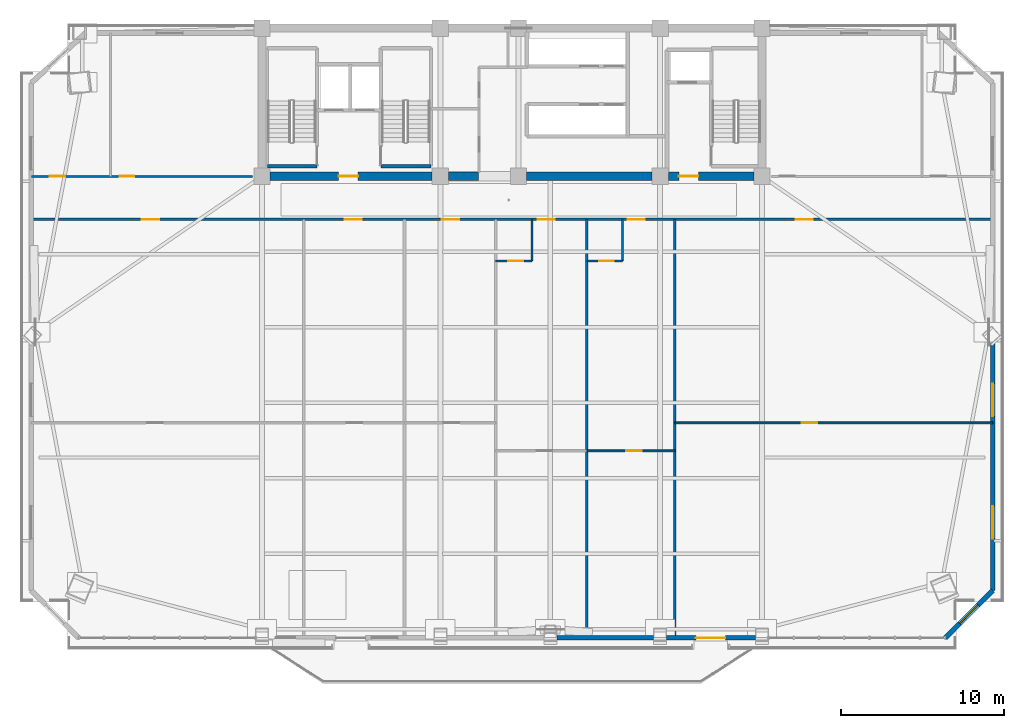
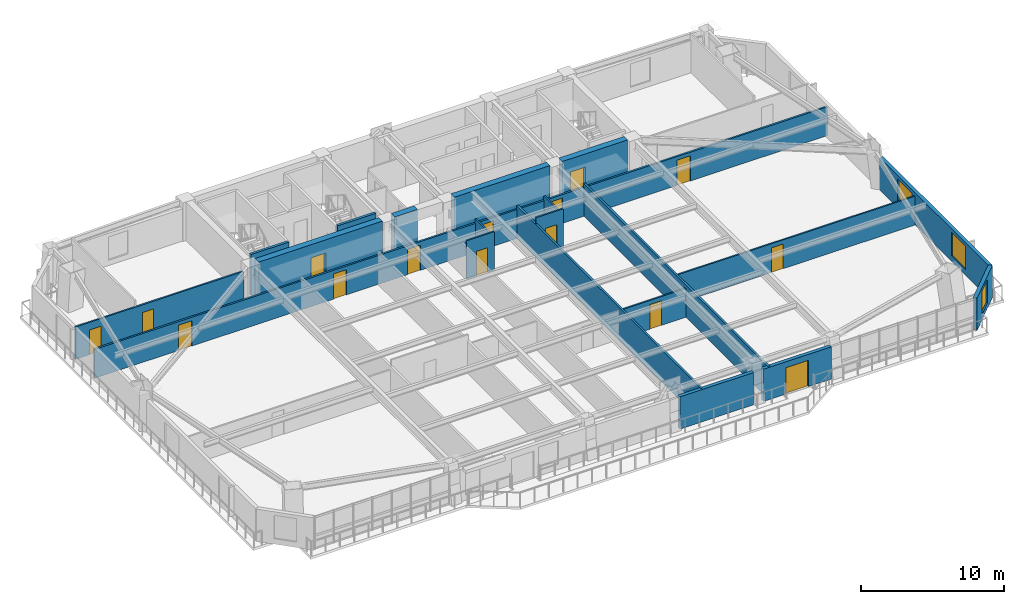
# One storey, part 8 of 16: 20 walls, 15 doors, 3 windows, 18 openings.
"""IFC4 building model written with IfcOpenShell, lengths in metres."""

from ifc_helpers import new_model, si_unit, direction, frame, frame_2d, origin, place, context, subcontext, project, spatial, rectangle, extrude, source, transform, mapped, material, layer, layer_set, type_object, element, fill, save


model = new_model("IFC4")

# Units and contexts
model_context = context("Model", 3, precision=1e-05, world=origin(), true_north=direction((0.0, 1.0)))
body_context = subcontext(model_context, "Body", "Model", "MODEL_VIEW")
ifc_project = project(units=[si_unit("LENGTHUNIT", "METRE"), si_unit("AREAUNIT", "SQUARE_METRE"), si_unit("VOLUMEUNIT", "CUBIC_METRE"), si_unit("PLANEANGLEUNIT", "RADIAN"), si_unit("MASSUNIT", "GRAM", prefix="KILO")], contexts=[model_context])

# Site, building, storey
site_placement = place(None, origin())
site = spatial("IfcSite", under=ifc_project, at=site_placement, CompositionType="ELEMENT")
building_placement = place(site_placement, origin())
building = spatial("IfcBuilding", under=site, at=building_placement, Name="Giltprow Tower", CompositionType="ELEMENT")
storey_placement = place(building_placement, frame((0.0, 0.0, 166.699951171875)))
storey = spatial("IfcBuildingStorey", under=building, at=storey_placement, Name="L41", CompositionType="ELEMENT", Elevation=166.699951171875)

# Wall, opening, window
ifc_material_1 = material(Name="Precast concrete C40", Category="concrete")
ifc_layer_1 = layer(ifc_material_1, 0.300048828125, Name="Precast concrete C40")
ifc_layer_set_1 = layer_set([ifc_layer_1], Name="Precast concrete C40")
wall_type_1 = type_object("IfcWallType", Name="EW-NOTCH-CHAMFER-300", PredefinedType="SOLIDWALL", material=ifc_layer_set_1)
wall_1_placement = place(storey_placement, frame((61.802978515625, 9.097900390625, 0.0), z_axis=(0.0, 0.0, 1.0), x_axis=(0.707106781187, 0.707106781187, 0.0)))
wall_1 = element("IfcWall", 1, at=wall_1_placement, inside=storey, type_object=wall_type_1, Name="L41 Corner Notch Wall SE", PredefinedType="SOLIDWALL", context=body_context, shape_type="SweptSolid", body=[
    extrude(rectangle(XDim=4.11962890625, YDim=0.300048828125, at=frame_2d((2.059814453125, 0.0))), origin(), (0.0, 0.0, 1.0), 2.75),
])
opening_1_placement = place(wall_1_placement, frame((1.260009765625, 0.0, 0.449951171875)))
opening_1 = element("IfcOpeningElement", 2, at=opening_1_placement, cuts=wall_1, Name="Opening WN17", PredefinedType="OPENING", context=body_context, shape_type="SweptSolid", body=[
    extrude(rectangle(XDim=1.60009765625, YDim=2.0, at=frame_2d((0.800048828125, 1.0))), frame((0.0, 0.159912109375, 0.0), z_axis=(0.0, -1.0, 0.0), x_axis=(1.0, 0.0, 0.0)), (0.0, 0.0, 1.0), 0.320068359375),
])
ifc_material_2 = material(Name="Insulated glass", Category="glass")
window_type_1 = type_object("IfcWindowType", Name="WN-COR-1600x2000", PartitioningType="SINGLE_PANEL", PredefinedType="WINDOW", material=ifc_material_2)
shared_shape_1 = source(origin(), body_context, "Body", "SweptSolid", [
    extrude(rectangle(XDim=1.60009765625, YDim=2.0, at=frame_2d((0.800048828125, 1.0))), frame((0.0, 0.030029296875, 0.0), z_axis=(0.0, -1.0, 0.0), x_axis=(1.0, 0.0, 0.0)), (0.0, 0.0, 1.0), 0.06005859375),
])
window_1_placement = place(opening_1_placement, origin())
window_1 = element("IfcWindow", 3, at=window_1_placement, inside=storey, type_object=window_type_1, Name="L41 Corner Notch Window SE", OverallHeight=2.0, OverallWidth=1.60009765625, PartitioningType="SINGLE_PANEL", PredefinedType="WINDOW", context=body_context, shape_type="MappedRepresentation", body=[
    mapped(shared_shape_1, transform((0.0, 0.0, 0.0), x_axis=(1.0, 0.0, 0.0), y_axis=(0.0, 1.0, 0.0), z_axis=(0.0, 0.0, 1.0), scale=1.0)),
])
fill(opening_1, window_1)

# Wall
ifc_layer_2 = layer(ifc_material_1, 0.280029296875, Name="Precast concrete C40")
ifc_layer_set_2 = layer_set([ifc_layer_2], Name="Precast concrete C40")
wall_type_2 = type_object("IfcWallType", Name="EW-TOW-BRONZE-280", PredefinedType="SOLIDWALL", material=ifc_layer_set_2)
wall_2_placement = place(storey_placement, frame((37.949951171875, 9.097900390625, 0.0), z_axis=(0.0, 0.0, 1.0), x_axis=(1.0, 0.0, 0.0)))
element("IfcWall", 4, at=wall_2_placement, inside=storey, type_object=wall_type_2, Name="L41 South Expressed Frame Wall 4", PredefinedType="SOLIDWALL", context=body_context, shape_type="SweptSolid", body=[
    extrude(rectangle(XDim=5.949951171875, YDim=0.280029296875, at=frame_2d((2.97509765625, 0.0))), origin(), (0.0, 0.0, 1.0), 2.75),
])

# Wall, opening, door
wall_3_placement = place(storey_placement, frame((44.699951171875, 9.097900390625, 0.0), z_axis=(0.0, 0.0, 1.0), x_axis=(1.0, 0.0, 0.0)))
wall_3 = element("IfcWall", 5, at=wall_3_placement, inside=storey, type_object=wall_type_2, Name="L41 South Expressed Frame Wall 5", PredefinedType="SOLIDWALL", context=body_context, shape_type="SweptSolid", body=[
    extrude(rectangle(XDim=5.449951171875, YDim=0.280029296875, at=frame_2d((2.72509765625, 0.0))), origin(), (0.0, 0.0, 1.0), 2.75),
])
opening_2_placement = place(wall_3_placement, frame((1.800048828125, 0.0, 0.0)))
opening_2 = element("IfcOpeningElement", 6, at=opening_2_placement, cuts=wall_3, Name="Opening ED25", PredefinedType="OPENING", context=body_context, shape_type="SweptSolid", body=[
    extrude(rectangle(XDim=1.800048828125, YDim=2.25, at=frame_2d((0.89990234375, 1.125))), frame((0.0, 0.14990234375, 0.0), z_axis=(0.0, -1.0, 0.0), x_axis=(1.0, 0.0, 0.0)), (0.0, 0.0, 1.0), 0.300048828125),
])
ifc_material_3 = material(Name="Anodized bronze and glass", Category="glass")
door_type_1 = type_object("IfcDoorType", Name="DR-BALC-SLIDE-1800", OperationType="SLIDING_TO_LEFT", PredefinedType="DOOR", material=ifc_material_3)
shared_shape_2 = source(origin(), body_context, "Body", "SweptSolid", [
    extrude(rectangle(XDim=1.800048828125, YDim=2.25, at=frame_2d((0.89990234375, 1.125))), frame((0.0, 0.02490234375, 0.0), z_axis=(0.0, -1.0, 0.0), x_axis=(1.0, 0.0, 0.0)), (0.0, 0.0, 1.0), 0.050048828125),
])
door_1_placement = place(opening_2_placement, origin())
door_1 = element("IfcDoor", 7, at=door_1_placement, inside=storey, type_object=door_type_1, Name="L41 Waterfront Balcony Sliding Door 2", OperationType="SLIDING_TO_LEFT", OverallHeight=2.25, OverallWidth=1.800048828125, PredefinedType="DOOR", context=body_context, shape_type="MappedRepresentation", body=[
    mapped(shared_shape_2, transform((0.0, 0.0, 0.0), x_axis=(1.0, 0.0, 0.0), y_axis=(0.0, 1.0, 0.0), z_axis=(0.0, 0.0, 1.0), scale=1.0)),
])
fill(opening_2, door_1)

# Wall, openings, windows
wall_4_placement = place(storey_placement, frame((64.716064453125, 12.010986328125, 0.0), z_axis=(0.0, 0.0, 1.0), x_axis=(0.0, 1.0, 0.0)))
wall_4 = element("IfcWall", 8, at=wall_4_placement, inside=storey, type_object=wall_type_2, Name="L41 E Wing Masonry Wall 1", PredefinedType="SOLIDWALL", context=body_context, shape_type="SweptSolid", body=[
    extrude(rectangle(XDim=15.18798828125, YDim=0.280029296875, at=frame_2d((7.593994140625, 0.0))), origin(), (0.0, 0.0, 1.0), 2.75),
])
opening_3_placement = place(wall_4_placement, frame((3.18896484375, 0.0, 0.449951171875)))
opening_3 = element("IfcOpeningElement", 9, at=opening_3_placement, cuts=wall_4, Name="Opening WN21", PredefinedType="OPENING", context=body_context, shape_type="SweptSolid", body=[
    extrude(rectangle(XDim=2.0, YDim=2.0, at=frame_2d((1.0, 1.0))), frame((0.0, 0.14990234375, 0.0), z_axis=(0.0, -1.0, 0.0), x_axis=(1.0, 0.0, 0.0)), (0.0, 0.0, 1.0), 0.300048828125),
])
opening_4_placement = place(wall_4_placement, frame((10.701904296875, 0.0, 0.449951171875)))
opening_4 = element("IfcOpeningElement", 10, at=opening_4_placement, cuts=wall_4, Name="Opening WN21", PredefinedType="OPENING", context=body_context, shape_type="SweptSolid", body=[
    extrude(rectangle(XDim=2.0, YDim=2.0, at=frame_2d((1.0, 1.0))), frame((0.0, 0.14990234375, 0.0), z_axis=(0.0, -1.0, 0.0), x_axis=(1.0, 0.0, 0.0)), (0.0, 0.0, 1.0), 0.300048828125),
])
window_type_2 = type_object("IfcWindowType", Name="WN-HTL-2000x2000", PartitioningType="DOUBLE_PANEL_VERTICAL", PredefinedType="WINDOW", material=ifc_material_2)
shared_shape_3 = source(origin(), body_context, "Body", "SweptSolid", [
    extrude(rectangle(XDim=2.0, YDim=2.0, at=frame_2d((1.0, 1.0))), frame((0.0, 0.030029296875, 0.0), z_axis=(0.0, -1.0, 0.0), x_axis=(1.0, 0.0, 0.0)), (0.0, 0.0, 1.0), 0.06005859375),
])
window_2_placement = place(opening_3_placement, origin())
window_2 = element("IfcWindow", 11, at=window_2_placement, inside=storey, type_object=window_type_2, Name="L41 E Wing Window 1-1A", OverallHeight=2.0, OverallWidth=2.0, PartitioningType="SINGLE_PANEL", PredefinedType="WINDOW", context=body_context, shape_type="MappedRepresentation", body=[
    mapped(shared_shape_3, transform((0.0, 0.0, 0.0), x_axis=(1.0, 0.0, 0.0), y_axis=(0.0, 1.0, 0.0), z_axis=(0.0, 0.0, 1.0), scale=1.0)),
])
fill(opening_3, window_2)
window_3_placement = place(opening_4_placement, origin())
window_3 = element("IfcWindow", 12, at=window_3_placement, inside=storey, type_object=window_type_2, Name="L41 E Wing Window 1-1B", OverallHeight=2.0, OverallWidth=2.0, PartitioningType="SINGLE_PANEL", PredefinedType="WINDOW", context=body_context, shape_type="MappedRepresentation", body=[
    mapped(shared_shape_3, transform((0.0, 0.0, 0.0), x_axis=(1.0, 0.0, 0.0), y_axis=(0.0, 1.0, 0.0), z_axis=(0.0, 0.0, 1.0), scale=1.0)),
])
fill(opening_4, window_3)

# Wall, openings, doors
ifc_material_4 = material(Name="Gypsum stud partition", Category="gypsum")
ifc_layer_3 = layer(ifc_material_4, 0.14990234375, Name="Gypsum stud partition")
ifc_layer_set_3 = layer_set([ifc_layer_3], Name="Gypsum stud partition")
wall_type_3 = type_object("IfcWallType", Name="IW-CORR-150", PredefinedType="PARTITIONING", material=ifc_layer_set_3)
wall_5_placement = place(storey_placement, frame((5.68408203125, 34.800048828125, 0.0), z_axis=(0.0, 0.0, 1.0), x_axis=(1.0, 0.0, 0.0)))
wall_5 = element("IfcWall", 13, at=wall_5_placement, inside=storey, type_object=wall_type_3, Name="L41 Hotel Guestroom Corridor Wall", PredefinedType="PARTITIONING", context=body_context, shape_type="SweptSolid", body=[
    extrude(rectangle(XDim=59.031982421875, YDim=0.14990234375, at=frame_2d((29.51611328125, 0.0))), origin(), (0.0, 0.0, 1.0), 2.455078125),
])
opening_5_placement = place(wall_5_placement, frame((6.791015625, 0.0, 0.0)))
opening_5 = element("IfcOpeningElement", 14, at=opening_5_placement, cuts=wall_5, Name="Opening ID31", PredefinedType="OPENING", context=body_context, shape_type="SweptSolid", body=[
    extrude(rectangle(XDim=1.050048828125, YDim=2.14990234375, at=frame_2d((0.52490234375, 1.074951171875))), frame((0.0, 0.0849609375, 0.0), z_axis=(0.0, -1.0, 0.0), x_axis=(1.0, 0.0, 0.0)), (0.0, 0.0, 1.0), 0.169921875),
])
opening_6_placement = place(wall_5_placement, frame((19.240966796875, 0.0, 0.0)))
opening_6 = element("IfcOpeningElement", 15, at=opening_6_placement, cuts=wall_5, Name="Opening ID31", PredefinedType="OPENING", context=body_context, shape_type="SweptSolid", body=[
    extrude(rectangle(XDim=1.050048828125, YDim=2.14990234375, at=frame_2d((0.52490234375, 1.074951171875))), frame((0.0, 0.0849609375, 0.0), z_axis=(0.0, -1.0, 0.0), x_axis=(1.0, 0.0, 0.0)), (0.0, 0.0, 1.0), 0.169921875),
])
opening_7_placement = place(wall_5_placement, frame((25.212890625, 0.0, 0.0)))
opening_7 = element("IfcOpeningElement", 16, at=opening_7_placement, cuts=wall_5, Name="Opening ID31", PredefinedType="OPENING", context=body_context, shape_type="SweptSolid", body=[
    extrude(rectangle(XDim=1.050048828125, YDim=2.14990234375, at=frame_2d((0.52490234375, 1.074951171875))), frame((0.0, 0.0849609375, 0.0), z_axis=(0.0, -1.0, 0.0), x_axis=(1.0, 0.0, 0.0)), (0.0, 0.0, 1.0), 0.169921875),
])
opening_8_placement = place(wall_5_placement, frame((31.0859375, 0.0, 0.0)))
opening_8 = element("IfcOpeningElement", 17, at=opening_8_placement, cuts=wall_5, Name="Opening ID31", PredefinedType="OPENING", context=body_context, shape_type="SweptSolid", body=[
    extrude(rectangle(XDim=1.050048828125, YDim=2.14990234375, at=frame_2d((0.52490234375, 1.074951171875))), frame((0.0, 0.0849609375, 0.0), z_axis=(0.0, -1.0, 0.0), x_axis=(1.0, 0.0, 0.0)), (0.0, 0.0, 1.0), 0.169921875),
])
opening_9_placement = place(wall_5_placement, frame((36.632080078125, 0.0, 0.0)))
opening_9 = element("IfcOpeningElement", 18, at=opening_9_placement, cuts=wall_5, Name="Opening ID31", PredefinedType="OPENING", context=body_context, shape_type="SweptSolid", body=[
    extrude(rectangle(XDim=1.050048828125, YDim=2.14990234375, at=frame_2d((0.52490234375, 1.074951171875))), frame((0.0, 0.0849609375, 0.0), z_axis=(0.0, -1.0, 0.0), x_axis=(1.0, 0.0, 0.0)), (0.0, 0.0, 1.0), 0.169921875),
])
opening_10_placement = place(wall_5_placement, frame((46.93603515625, 0.0, 0.0)))
opening_10 = element("IfcOpeningElement", 19, at=opening_10_placement, cuts=wall_5, Name="Opening ID31", PredefinedType="OPENING", context=body_context, shape_type="SweptSolid", body=[
    extrude(rectangle(XDim=1.050048828125, YDim=2.14990234375, at=frame_2d((0.52490234375, 1.074951171875))), frame((0.0, 0.0849609375, 0.0), z_axis=(0.0, -1.0, 0.0), x_axis=(1.0, 0.0, 0.0)), (0.0, 0.0, 1.0), 0.169921875),
])
ifc_material_5 = material(Name="Engineered timber", Category="wood")
door_type_2 = type_object("IfcDoorType", Name="DR-SUITE-1050", OperationType="SINGLE_SWING_LEFT", PredefinedType="DOOR", material=ifc_material_5)
shared_shape_4 = source(origin(), body_context, "Body", "SweptSolid", [
    extrude(rectangle(XDim=1.050048828125, YDim=2.14990234375, at=frame_2d((0.52490234375, 1.074951171875))), frame((0.0, 0.02490234375, 0.0), z_axis=(0.0, -1.0, 0.0), x_axis=(1.0, 0.0, 0.0)), (0.0, 0.0, 1.0), 0.050048828125),
])
door_2_placement = place(opening_5_placement, origin())
door_2 = element("IfcDoor", 20, at=door_2_placement, inside=storey, type_object=door_type_2, Name="L41 Suite Reception Foyer Door", OperationType="SINGLE_SWING_LEFT", OverallHeight=2.14990234375, OverallWidth=1.050048828125, PredefinedType="DOOR", context=body_context, shape_type="MappedRepresentation", body=[
    mapped(shared_shape_4, transform((0.0, 0.0, 0.0), x_axis=(1.0, 0.0, 0.0), y_axis=(0.0, 1.0, 0.0), z_axis=(0.0, 0.0, 1.0), scale=1.0)),
])
fill(opening_5, door_2)
door_3_placement = place(opening_6_placement, origin())
door_3 = element("IfcDoor", 21, at=door_3_placement, inside=storey, type_object=door_type_2, Name="L41 Suite Reception Foyer Door", OperationType="SINGLE_SWING_LEFT", OverallHeight=2.14990234375, OverallWidth=1.050048828125, PredefinedType="DOOR", context=body_context, shape_type="MappedRepresentation", body=[
    mapped(shared_shape_4, transform((0.0, 0.0, 0.0), x_axis=(1.0, 0.0, 0.0), y_axis=(0.0, 1.0, 0.0), z_axis=(0.0, 0.0, 1.0), scale=1.0)),
])
fill(opening_6, door_3)
door_4_placement = place(opening_7_placement, origin())
door_4 = element("IfcDoor", 22, at=door_4_placement, inside=storey, type_object=door_type_2, Name="L41 Suite Reception Foyer Door", OperationType="SINGLE_SWING_LEFT", OverallHeight=2.14990234375, OverallWidth=1.050048828125, PredefinedType="DOOR", context=body_context, shape_type="MappedRepresentation", body=[
    mapped(shared_shape_4, transform((0.0, 0.0, 0.0), x_axis=(1.0, 0.0, 0.0), y_axis=(0.0, 1.0, 0.0), z_axis=(0.0, 0.0, 1.0), scale=1.0)),
])
fill(opening_7, door_4)
door_5_placement = place(opening_8_placement, origin())
door_5 = element("IfcDoor", 23, at=door_5_placement, inside=storey, type_object=door_type_2, Name="L41 Hotel Room 4 Entry Door", OperationType="SINGLE_SWING_LEFT", OverallHeight=2.14990234375, OverallWidth=1.050048828125, PredefinedType="DOOR", context=body_context, shape_type="MappedRepresentation", body=[
    mapped(shared_shape_4, transform((0.0, 0.0, 0.0), x_axis=(1.0, 0.0, 0.0), y_axis=(0.0, 1.0, 0.0), z_axis=(0.0, 0.0, 1.0), scale=1.0)),
])
fill(opening_8, door_5)
door_6_placement = place(opening_9_placement, origin())
door_6 = element("IfcDoor", 24, at=door_6_placement, inside=storey, type_object=door_type_2, Name="L41 Hotel Room 5 Entry Door", OperationType="SINGLE_SWING_RIGHT", OverallHeight=2.14990234375, OverallWidth=1.050048828125, PredefinedType="DOOR", context=body_context, shape_type="MappedRepresentation", body=[
    mapped(shared_shape_4, transform((0.0, 0.0, 0.0), x_axis=(1.0, 0.0, 0.0), y_axis=(0.0, 1.0, 0.0), z_axis=(0.0, 0.0, 1.0), scale=1.0)),
])
fill(opening_9, door_6)
door_7_placement = place(opening_10_placement, origin())
door_7 = element("IfcDoor", 25, at=door_7_placement, inside=storey, type_object=door_type_2, Name="L41 Suite Reception Foyer Door", OperationType="SINGLE_SWING_LEFT", OverallHeight=2.14990234375, OverallWidth=1.050048828125, PredefinedType="DOOR", context=body_context, shape_type="MappedRepresentation", body=[
    mapped(shared_shape_4, transform((0.0, 0.0, 0.0), x_axis=(1.0, 0.0, 0.0), y_axis=(0.0, 1.0, 0.0), z_axis=(0.0, 0.0, 1.0), scale=1.0)),
])
fill(opening_10, door_7)

# Walls
ifc_layer_4 = layer(ifc_material_4, 0.159912109375, Name="Gypsum stud partition")
ifc_layer_set_4 = layer_set([ifc_layer_4], Name="Gypsum stud partition")
wall_type_4 = type_object("IfcWallType", Name="IW-DEMISE-160", PredefinedType="PARTITIONING", material=ifc_layer_set_4)
for number, where, z_axis, x_axis, name in (
    (26, (39.800048828125, 9.097900390625, 0.0), (0.0, 0.0, 1.0), (0.0, 1.0, 0.0), "L41 Hotel Demising Wall 4"),
    (27, (45.199951171875, 9.097900390625, 0.0), (0.0, 0.0, 1.0), (0.0, 1.0, 0.0), "L41 Hotel Demising Wall 5"),
):
    element("IfcWall", number, at=place(storey_placement, frame(where, z_axis=z_axis, x_axis=x_axis)), inside=storey, type_object=wall_type_4, Name=name, PredefinedType="PARTITIONING", context=body_context, shape_type="SweptSolid", body=[
        extrude(rectangle(XDim=25.7021484375, YDim=0.159912109375, at=frame_2d((12.85107421875, 0.0))), origin(), (0.0, 0.0, 1.0), 2.755126953125),
    ])

# Wall, opening, door
ifc_layer_5 = layer(ifc_material_4, 0.1201171875, Name="Gypsum stud partition")
ifc_layer_set_5 = layer_set([ifc_layer_5], Name="Gypsum stud partition")
wall_type_5 = type_object("IfcWallType", Name="IW-ROOM-120", PredefinedType="PARTITIONING", material=ifc_layer_set_5)
wall_6_placement = place(storey_placement, frame((39.800048828125, 20.590087890625, 0.0), z_axis=(0.0, 0.0, 1.0), x_axis=(1.0, 0.0, 0.0)))
wall_6 = element("IfcWall", 28, at=wall_6_placement, inside=storey, type_object=wall_type_5, Name="L41 Suite Parlour Divider 5", PredefinedType="PARTITIONING", context=body_context, shape_type="SweptSolid", body=[
    extrude(rectangle(XDim=5.39990234375, YDim=0.1201171875, at=frame_2d((2.699951171875, 0.0))), origin(), (0.0, 0.0, 1.0), 2.455078125),
])
opening_11_placement = place(wall_6_placement, frame((2.425048828125, 0.0, 0.0)))
opening_11 = element("IfcOpeningElement", 29, at=opening_11_placement, cuts=wall_6, Name="Opening ID11", PredefinedType="OPENING", context=body_context, shape_type="SweptSolid", body=[
    extrude(rectangle(XDim=0.949951171875, YDim=2.10009765625, at=frame_2d((0.47509765625, 1.050048828125))), frame((0.0, 0.070068359375, 0.0), z_axis=(0.0, -1.0, 0.0), x_axis=(1.0, 0.0, 0.0)), (0.0, 0.0, 1.0), 0.14013671875),
])
door_type_3 = type_object("IfcDoorType", Name="DR-ROOM-950", OperationType="SINGLE_SWING_RIGHT", PredefinedType="DOOR", material=ifc_material_5)
shared_shape_5 = source(origin(), body_context, "Body", "SweptSolid", [
    extrude(rectangle(XDim=0.949951171875, YDim=2.10009765625, at=frame_2d((0.47509765625, 1.050048828125))), frame((0.0, 0.02490234375, 0.0), z_axis=(0.0, -1.0, 0.0), x_axis=(1.0, 0.0, 0.0)), (0.0, 0.0, 1.0), 0.050048828125),
])
door_8_placement = place(opening_11_placement, origin())
door_8 = element("IfcDoor", 30, at=door_8_placement, inside=storey, type_object=door_type_3, Name="L41 Harbour Parlour 5 Door", OperationType="SINGLE_SWING_RIGHT", OverallHeight=2.10009765625, OverallWidth=0.949951171875, PredefinedType="DOOR", context=body_context, shape_type="MappedRepresentation", body=[
    mapped(shared_shape_5, transform((0.0, 0.0, 0.0), x_axis=(1.0, 0.0, 0.0), y_axis=(0.0, 1.0, 0.0), z_axis=(0.0, 0.0, 1.0), scale=1.0)),
])
fill(opening_11, door_8)

wall_7_placement = place(storey_placement, frame((45.199951171875, 22.31298828125, 0.0), z_axis=(0.0, 0.0, 1.0), x_axis=(1.0, 0.0, 0.0)))
wall_7 = element("IfcWall", 31, at=wall_7_placement, inside=storey, type_object=wall_type_5, Name="L41 Amenity Mid Wall 6", PredefinedType="PARTITIONING", context=body_context, shape_type="SweptSolid", body=[
    extrude(rectangle(XDim=19.51611328125, YDim=0.1201171875, at=frame_2d((9.758056640625, 0.0))), origin(), (0.0, 0.0, 1.0), 2.455078125),
])
opening_12_placement = place(wall_7_placement, frame((7.798095703125, 0.0, 0.0)))
opening_12 = element("IfcOpeningElement", 32, at=opening_12_placement, cuts=wall_7, Name="Opening ID11", PredefinedType="OPENING", context=body_context, shape_type="SweptSolid", body=[
    extrude(rectangle(XDim=0.949951171875, YDim=2.10009765625, at=frame_2d((0.47509765625, 1.050048828125))), frame((0.0, 0.070068359375, 0.0), z_axis=(0.0, -1.0, 0.0), x_axis=(1.0, 0.0, 0.0)), (0.0, 0.0, 1.0), 0.14013671875),
])
door_9_placement = place(opening_12_placement, origin())
door_9 = element("IfcDoor", 33, at=door_9_placement, inside=storey, type_object=door_type_3, Name="L41 Perfume Boutique Shop 4 Inner Door", OperationType="SINGLE_SWING_RIGHT", OverallHeight=2.10009765625, OverallWidth=0.949951171875, PredefinedType="DOOR", context=body_context, shape_type="MappedRepresentation", body=[
    mapped(shared_shape_5, transform((0.0, 0.0, 0.0), x_axis=(1.0, 0.0, 0.0), y_axis=(0.0, 1.0, 0.0), z_axis=(0.0, 0.0, 1.0), scale=1.0)),
])
fill(opening_12, door_9)

# Walls
ifc_material_6 = material(Name="Concrete C40", Category="concrete")
ifc_layer_6 = layer(ifc_material_6, 0.199951171875, Name="Concrete C40")
ifc_layer_set_6 = layer_set([ifc_layer_6], Name="Concrete C40")
wall_type_6 = type_object("IfcWallType", Name="IW-STAIR-200", PredefinedType="SOLIDWALL", material=ifc_layer_set_6)
wall_8_placement = place(storey_placement, frame((20.169921875, 38.070068359375, 0.0), z_axis=(0.0, 0.0, 1.0), x_axis=(1.0, 0.0, 0.0)))
element("IfcWall", 34, at=wall_8_placement, inside=storey, type_object=wall_type_6, Name="L41 Stair ST-1 South Bearing Wall", PredefinedType="SOLIDWALL", context=body_context, shape_type="SweptSolid", body=[
    extrude(rectangle(XDim=3.050048828125, YDim=0.199951171875, at=frame_2d((1.52490234375, 0.0))), origin(), (0.0, 0.0, 1.0), 3.5),
])
wall_9_placement = place(storey_placement, frame((27.139892578125, 38.070068359375, 0.0), z_axis=(0.0, 0.0, 1.0), x_axis=(1.0, 0.0, 0.0)))
element("IfcWall", 35, at=wall_9_placement, inside=storey, type_object=wall_type_6, Name="L41 Stair ST-2 South Bearing Wall", PredefinedType="SOLIDWALL", context=body_context, shape_type="SweptSolid", body=[
    extrude(rectangle(XDim=3.080078125, YDim=0.199951171875, at=frame_2d((1.5400390625, 0.0))), origin(), (0.0, 0.0, 1.0), 3.5),
])

# Wall, opening, door
ifc_material_7 = material(Name="Concrete C30", Category="concrete")
ifc_layer_7 = layer(ifc_material_7, 0.1298828125, Name="Concrete C30")
ifc_layer_set_7 = layer_set([ifc_layer_7], Name="Concrete C30")
wall_type_7 = type_object("IfcWallType", Name="IW-WET-130", PredefinedType="PARTITIONING", material=ifc_layer_set_7)
wall_10_placement = place(storey_placement, frame((34.199951171875, 32.25, 0.0), z_axis=(0.0, 0.0, 1.0), x_axis=(1.0, 0.0, 0.0)))
wall_10 = element("IfcWall", 36, at=wall_10_placement, inside=storey, type_object=wall_type_7, Name="L41 En-Suite South Wall 4", PredefinedType="PARTITIONING", context=body_context, shape_type="SweptSolid", body=[
    extrude(rectangle(XDim=2.22998046875, YDim=0.1298828125, at=frame_2d((1.114990234375, 0.0))), origin(), (0.0, 0.0, 1.0), 3.27001953125),
])
opening_13_placement = place(wall_10_placement, frame((0.784912109375, 0.0, 0.0)))
opening_13 = element("IfcOpeningElement", 37, at=opening_13_placement, cuts=wall_10, Name="Opening ID15", PredefinedType="OPENING", context=body_context, shape_type="SweptSolid", body=[
    extrude(rectangle(XDim=0.89990234375, YDim=2.10009765625, at=frame_2d((0.449951171875, 1.050048828125))), frame((0.0, 0.074951171875, 0.0), z_axis=(0.0, -1.0, 0.0), x_axis=(1.0, 0.0, 0.0)), (0.0, 0.0, 1.0), 0.14990234375),
])
door_type_4 = type_object("IfcDoorType", Name="DR-WC-900", OperationType="SINGLE_SWING_LEFT", PredefinedType="DOOR", material=ifc_material_5)
shared_shape_6 = source(origin(), body_context, "Body", "SweptSolid", [
    extrude(rectangle(XDim=0.89990234375, YDim=2.10009765625, at=frame_2d((0.449951171875, 1.050048828125))), frame((0.0, 0.02490234375, 0.0), z_axis=(0.0, -1.0, 0.0), x_axis=(1.0, 0.0, 0.0)), (0.0, 0.0, 1.0), 0.050048828125),
])
door_10_placement = place(opening_13_placement, origin())
door_10 = element("IfcDoor", 38, at=door_10_placement, inside=storey, type_object=door_type_4, Name="L41 En-Suite 4 Door", OperationType="SINGLE_SWING_RIGHT", OverallHeight=2.10009765625, OverallWidth=0.89990234375, PredefinedType="DOOR", context=body_context, shape_type="MappedRepresentation", body=[
    mapped(shared_shape_6, transform((0.0, 0.0, 0.0), x_axis=(1.0, 0.0, 0.0), y_axis=(0.0, 1.0, 0.0), z_axis=(0.0, 0.0, 1.0), scale=1.0)),
])
fill(opening_13, door_10)

# Wall
wall_11_placement = place(storey_placement, frame((36.429931640625, 32.25, 0.0), z_axis=(0.0, 0.0, 1.0), x_axis=(0.0, 1.0, 0.0)))
element("IfcWall", 39, at=wall_11_placement, inside=storey, type_object=wall_type_7, Name="L41 En-Suite East Wall 4", PredefinedType="PARTITIONING", context=body_context, shape_type="SweptSolid", body=[
    extrude(rectangle(XDim=2.550048828125, YDim=0.1298828125, at=frame_2d((1.27490234375, 0.0))), origin(), (0.0, 0.0, 1.0), 2.804931640625),
])

# Wall, opening, door
wall_12_placement = place(storey_placement, frame((39.800048828125, 32.25, 0.0), z_axis=(0.0, 0.0, 1.0), x_axis=(1.0, 0.0, 0.0)))
wall_12 = element("IfcWall", 40, at=wall_12_placement, inside=storey, type_object=wall_type_7, Name="L41 En-Suite South Wall 5", PredefinedType="PARTITIONING", context=body_context, shape_type="SweptSolid", body=[
    extrude(rectangle(XDim=2.176025390625, YDim=0.1298828125, at=frame_2d((1.087890625, 0.0))), origin(), (0.0, 0.0, 1.0), 3.27001953125),
])
opening_14_placement = place(wall_12_placement, frame((0.758056640625, 0.0, 0.0)))
opening_14 = element("IfcOpeningElement", 41, at=opening_14_placement, cuts=wall_12, Name="Opening ID15", PredefinedType="OPENING", context=body_context, shape_type="SweptSolid", body=[
    extrude(rectangle(XDim=0.89990234375, YDim=2.10009765625, at=frame_2d((0.449951171875, 1.050048828125))), frame((0.0, 0.074951171875, 0.0), z_axis=(0.0, -1.0, 0.0), x_axis=(1.0, 0.0, 0.0)), (0.0, 0.0, 1.0), 0.14990234375),
])
door_11_placement = place(opening_14_placement, origin())
door_11 = element("IfcDoor", 42, at=door_11_placement, inside=storey, type_object=door_type_4, Name="L41 En-Suite 5 Door", OperationType="SINGLE_SWING_LEFT", OverallHeight=2.10009765625, OverallWidth=0.89990234375, PredefinedType="DOOR", context=body_context, shape_type="MappedRepresentation", body=[
    mapped(shared_shape_6, transform((0.0, 0.0, 0.0), x_axis=(1.0, 0.0, 0.0), y_axis=(0.0, 1.0, 0.0), z_axis=(0.0, 0.0, 1.0), scale=1.0)),
])
fill(opening_14, door_11)

# Wall
wall_13_placement = place(storey_placement, frame((41.97607421875, 32.25, 0.0), z_axis=(0.0, 0.0, 1.0), x_axis=(0.0, 1.0, 0.0)))
element("IfcWall", 43, at=wall_13_placement, inside=storey, type_object=wall_type_7, Name="L41 En-Suite East Wall 5", PredefinedType="PARTITIONING", context=body_context, shape_type="SweptSolid", body=[
    extrude(rectangle(XDim=2.550048828125, YDim=0.1298828125, at=frame_2d((1.27490234375, 0.0))), origin(), (0.0, 0.0, 1.0), 2.804931640625),
])

# Wall, openings, doors
wall_14_placement = place(storey_placement, frame((5.68408203125, 37.449951171875, 0.0), z_axis=(0.0, 0.0, 1.0), x_axis=(1.0, 0.0, 0.0)))
wall_14 = element("IfcWall", 44, at=wall_14_placement, inside=storey, type_object=wall_type_7, Name="L41 NW Wing South Wall", PredefinedType="PARTITIONING", context=body_context, shape_type="SweptSolid", body=[
    extrude(rectangle(XDim=13.56591796875, YDim=0.1298828125, at=frame_2d((6.782958984375, 0.0))), origin(), (0.0, 0.0, 1.0), 2.755126953125),
])
opening_15_placement = place(wall_14_placement, frame((1.135009765625, 0.0, 0.0)))
opening_15 = element("IfcOpeningElement", 45, at=opening_15_placement, cuts=wall_14, Name="Opening ID11", PredefinedType="OPENING", context=body_context, shape_type="SweptSolid", body=[
    extrude(rectangle(XDim=0.949951171875, YDim=2.10009765625, at=frame_2d((0.47509765625, 1.050048828125))), frame((0.0, 0.074951171875, 0.0), z_axis=(0.0, -1.0, 0.0), x_axis=(1.0, 0.0, 0.0)), (0.0, 0.0, 1.0), 0.14990234375),
])
opening_16_placement = place(wall_14_placement, frame((5.416015625, 0.0, 0.0)))
opening_16 = element("IfcOpeningElement", 46, at=opening_16_placement, cuts=wall_14, Name="Opening ID15", PredefinedType="OPENING", context=body_context, shape_type="SweptSolid", body=[
    extrude(rectangle(XDim=0.89990234375, YDim=2.10009765625, at=frame_2d((0.449951171875, 1.050048828125))), frame((0.0, 0.074951171875, 0.0), z_axis=(0.0, -1.0, 0.0), x_axis=(1.0, 0.0, 0.0)), (0.0, 0.0, 1.0), 0.14990234375),
])
door_12_placement = place(opening_16_placement, origin())
door_12 = element("IfcDoor", 47, at=door_12_placement, inside=storey, type_object=door_type_4, Name="L41 NW Washroom Door", OperationType="SINGLE_SWING_RIGHT", OverallHeight=2.10009765625, OverallWidth=0.89990234375, PredefinedType="DOOR", context=body_context, shape_type="MappedRepresentation", body=[
    mapped(shared_shape_6, transform((0.0, 0.0, 0.0), x_axis=(1.0, 0.0, 0.0), y_axis=(0.0, 1.0, 0.0), z_axis=(0.0, 0.0, 1.0), scale=1.0)),
])
fill(opening_16, door_12)
door_13_placement = place(opening_15_placement, origin())
door_13 = element("IfcDoor", 48, at=door_13_placement, inside=storey, type_object=door_type_3, Name="L41 Hotel Floor Butler Office West Door", OperationType="SINGLE_SWING_LEFT", OverallHeight=2.10009765625, OverallWidth=0.949951171875, PredefinedType="DOOR", context=body_context, shape_type="MappedRepresentation", body=[
    mapped(shared_shape_5, transform((0.0, 0.0, 0.0), x_axis=(1.0, 0.0, 0.0), y_axis=(0.0, 1.0, 0.0), z_axis=(0.0, 0.0, 1.0), scale=1.0)),
])
fill(opening_15, door_13)

# Wall, opening, door
ifc_material_8 = material(Name="Concrete C50", Category="concrete")
ifc_layer_8 = layer(ifc_material_8, 0.5, Name="Concrete C50")
ifc_layer_set_8 = layer_set([ifc_layer_8], Name="Concrete C50")
wall_type_8 = type_object("IfcWallType", Name="SW-INT-500-C50", PredefinedType="SHEAR", material=ifc_layer_set_8)
wall_15_placement = place(storey_placement, frame((20.35009765625, 37.449951171875, 0.0), z_axis=(0.0, 0.0, 1.0), x_axis=(1.0, 0.0, 0.0)))
wall_15 = element("IfcWall", 49, at=wall_15_placement, inside=storey, type_object=wall_type_8, Name="L41 South Rear Core Shear Wall West", PredefinedType="SHEAR", context=body_context, shape_type="SweptSolid", body=[
    extrude(rectangle(XDim=9.949951171875, YDim=0.5, at=frame_2d((4.97509765625, 0.0))), origin(), (0.0, 0.0, 1.0), 3.27001953125),
])
opening_17_placement = place(wall_15_placement, frame((4.199951171875, 0.0, 0.0)))
opening_17 = element("IfcOpeningElement", 50, at=opening_17_placement, cuts=wall_15, Name="Opening ID19", PredefinedType="OPENING", context=body_context, shape_type="SweptSolid", body=[
    extrude(rectangle(XDim=1.199951171875, YDim=2.14990234375, at=frame_2d((0.60009765625, 1.074951171875))), frame((0.0, 0.260009765625, 0.0), z_axis=(0.0, -1.0, 0.0), x_axis=(1.0, 0.0, 0.0)), (0.0, 0.0, 1.0), 0.52001953125),
])
ifc_material_9 = material(Name="Steel fire leaf", Category="steel")
door_type_5 = type_object("IfcDoorType", Name="DR-FFLOBBY-1200", OperationType="SINGLE_SWING_RIGHT", PredefinedType="DOOR", material=ifc_material_9)
shared_shape_7 = source(origin(), body_context, "Body", "SweptSolid", [
    extrude(rectangle(XDim=1.199951171875, YDim=2.14990234375, at=frame_2d((0.60009765625, 1.074951171875))), frame((0.0, 0.02490234375, 0.0), z_axis=(0.0, -1.0, 0.0), x_axis=(1.0, 0.0, 0.0)), (0.0, 0.0, 1.0), 0.050048828125),
])
door_14_placement = place(opening_17_placement, origin())
door_14 = element("IfcDoor", 51, at=door_14_placement, inside=storey, type_object=door_type_5, Name="L41 West Firefighting Lobby Entry Door", OperationType="SINGLE_SWING_LEFT", OverallHeight=2.14990234375, OverallWidth=1.199951171875, PredefinedType="DOOR", context=body_context, shape_type="MappedRepresentation", body=[
    mapped(shared_shape_7, transform((0.0, 0.0, 0.0), x_axis=(1.0, 0.0, 0.0), y_axis=(0.0, 1.0, 0.0), z_axis=(0.0, 0.0, 1.0), scale=1.0)),
])
fill(opening_17, door_14)

# Walls
wall_16_placement = place(storey_placement, frame((31.300048828125, 37.449951171875, 0.0), z_axis=(0.0, 0.0, 1.0), x_axis=(1.0, 0.0, 0.0)))
element("IfcWall", 52, at=wall_16_placement, inside=storey, type_object=wall_type_8, Name="L41 South Rear Core Shear Wall Mid-West", PredefinedType="SHEAR", context=body_context, shape_type="SweptSolid", body=[
    extrude(rectangle(XDim=1.849853515625, YDim=0.5, at=frame_2d((0.9248046875, 0.0))), origin(), (0.0, 0.0, 1.0), 3.27001953125),
])
wall_17_placement = place(storey_placement, frame((36.10009765625, 37.449951171875, 0.0), z_axis=(0.0, 0.0, 1.0), x_axis=(1.0, 0.0, 0.0)))
element("IfcWall", 53, at=wall_17_placement, inside=storey, type_object=wall_type_8, Name="L41 South Rear Core Shear Wall Mid-East", PredefinedType="SHEAR", context=body_context, shape_type="SweptSolid", body=[
    extrude(rectangle(XDim=7.699951171875, YDim=0.5, at=frame_2d((3.85009765625, 0.0))), origin(), (0.0, 0.0, 1.0), 3.27001953125),
])

# Wall, opening, door
wall_18_placement = place(storey_placement, frame((44.800048828125, 37.449951171875, 0.0), z_axis=(0.0, 0.0, 1.0), x_axis=(1.0, 0.0, 0.0)))
wall_18 = element("IfcWall", 54, at=wall_18_placement, inside=storey, type_object=wall_type_8, Name="L41 South Rear Core Shear Wall East", PredefinedType="SHEAR", context=body_context, shape_type="SweptSolid", body=[
    extrude(rectangle(XDim=5.25, YDim=0.5, at=frame_2d((2.625, 0.0))), origin(), (0.0, 0.0, 1.0), 3.27001953125),
])
opening_18_placement = place(wall_18_placement, frame((0.64990234375, 0.0, 0.0)))
opening_18 = element("IfcOpeningElement", 55, at=opening_18_placement, cuts=wall_18, Name="Opening ID19", PredefinedType="OPENING", context=body_context, shape_type="SweptSolid", body=[
    extrude(rectangle(XDim=1.199951171875, YDim=2.14990234375, at=frame_2d((0.60009765625, 1.074951171875))), frame((0.0, 0.260009765625, 0.0), z_axis=(0.0, -1.0, 0.0), x_axis=(1.0, 0.0, 0.0)), (0.0, 0.0, 1.0), 0.52001953125),
])
door_15_placement = place(opening_18_placement, origin())
door_15 = element("IfcDoor", 56, at=door_15_placement, inside=storey, type_object=door_type_5, Name="L41 East Firefighting Lobby Entry Door", OperationType="SINGLE_SWING_RIGHT", OverallHeight=2.14990234375, OverallWidth=1.199951171875, PredefinedType="DOOR", context=body_context, shape_type="MappedRepresentation", body=[
    mapped(shared_shape_7, transform((0.0, 0.0, 0.0), x_axis=(1.0, 0.0, 0.0), y_axis=(0.0, 1.0, 0.0), z_axis=(0.0, 0.0, 1.0), scale=1.0)),
])
fill(opening_18, door_15)

save(model, "model.ifc")
